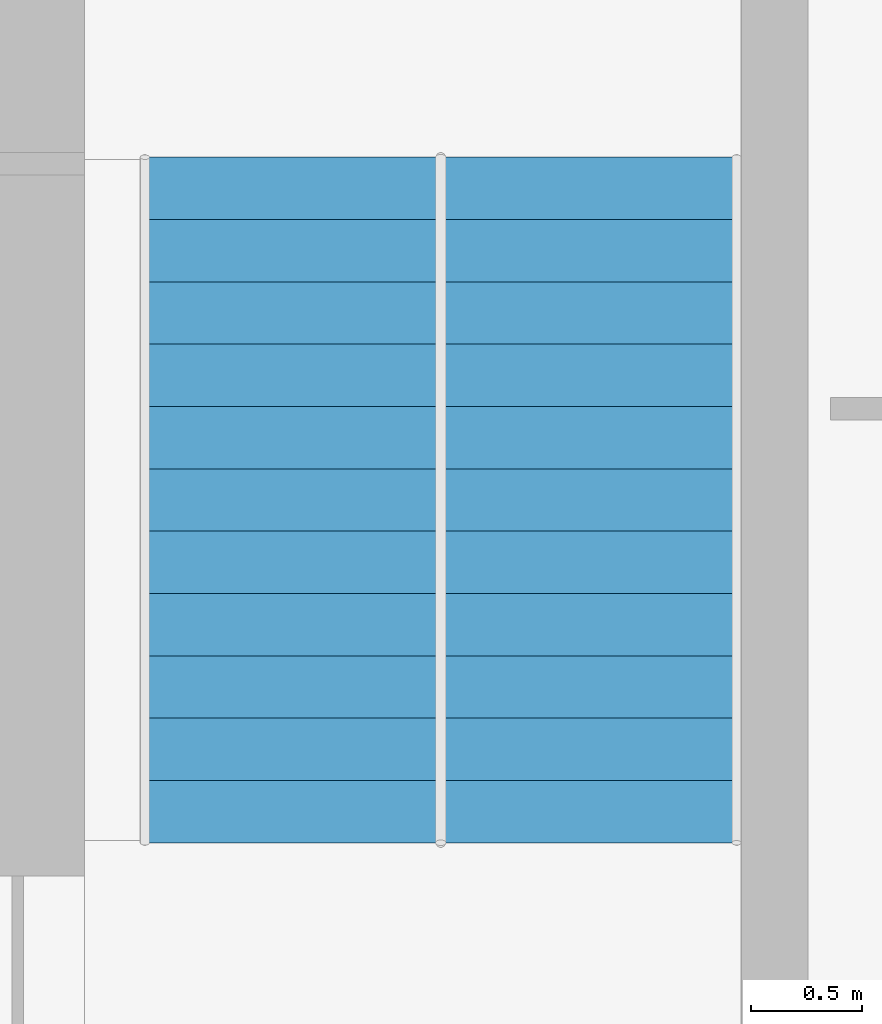
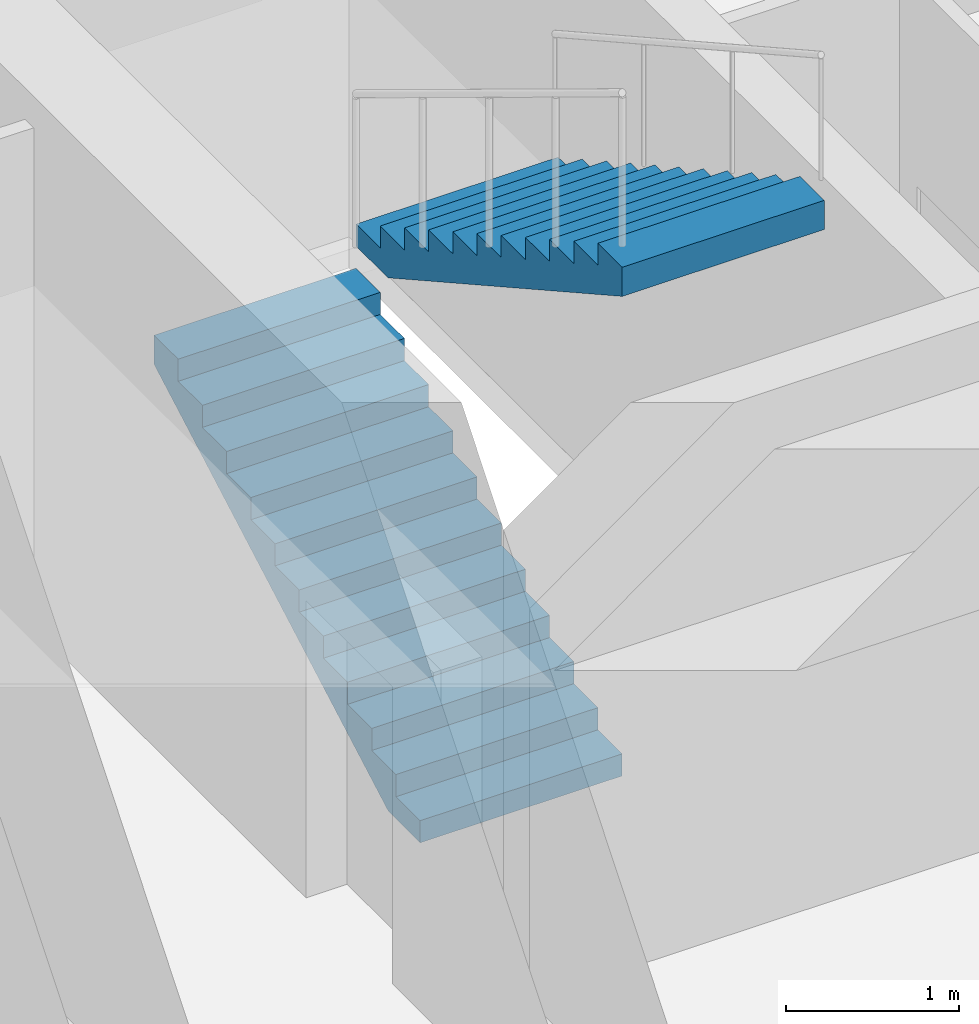
# One storey, part 9 of 11: 2 stair flights, 1 element without a shape of its own.
"""IFC4 building model written with IfcOpenShell, lengths in metres."""

from ifc_helpers import new_model, si_unit, direction, frame, origin, place, context, subcontext, project, spatial, polyline, outline, extrude, material, type_object, element, aggregate, save


model = new_model("IFC4")

# Units and contexts
model_context = context("Model", 3, precision=1e-05, world=origin(), true_north=direction((0.0, 1.0)))
body_context = subcontext(model_context, "Body", "Model", "MODEL_VIEW")
ifc_project = project(units=[si_unit("LENGTHUNIT", "METRE"), si_unit("AREAUNIT", "SQUARE_METRE"), si_unit("VOLUMEUNIT", "CUBIC_METRE"), si_unit("PLANEANGLEUNIT", "RADIAN"), si_unit("MASSUNIT", "GRAM", prefix="KILO")], contexts=[model_context])

# Site, building, storey
site_placement = place(None, origin())
site = spatial("IfcSite", under=ifc_project, at=site_placement, CompositionType="ELEMENT")
building_placement = place(site_placement, origin())
building = spatial("IfcBuilding", under=site, at=building_placement, Name="Impinga Residences", CompositionType="ELEMENT")
storey_placement = place(building_placement, frame((0.0, 0.0, 248.5)))
storey = spatial("IfcBuildingStorey", under=building, at=storey_placement, Name="L62", CompositionType="ELEMENT", Elevation=248.5)

# Stair, stair flights
ifc_material = material(Name="Concrete C40/50", Category="concrete")
stair_type = type_object("IfcStairType", Name="STR wing stair 3750 storey, 24 risers", PredefinedType="HALF_TURN_STAIR", material=ifc_material)
stair_placement = place(storey_placement, origin())
stair = element("IfcStair", 1, at=stair_placement, inside=storey, type_object=stair_type, Name="Stair WS1 L62", PredefinedType="HALF_TURN_STAIR")
stair_flight_type = type_object("IfcStairFlightType", Name="SF 12 risers of 156", PredefinedType="STRAIGHT", material=ifc_material)
stair_flight_1_placement = place(storey_placement, frame((2.425048828125, 22.131591796875, 0.0), z_axis=(0.0, 0.0, 1.0), x_axis=(0.0, 1.0, 0.0)))
stair_flight_1 = element("IfcStairFlight", 2, at=stair_flight_1_placement, type_object=stair_flight_type, Name="WS1 flight 1", NumberOfRisers=12, NumberOfTreads=11, PredefinedType="STRAIGHT", RiserHeight=0.15625, TreadLength=0.28, context=body_context, shape_type="SweptSolid", body=[
    extrude(outline(polyline([(0.0, 0.0), (0.0, 0.15625), (0.280029296875, 0.15625), (0.280029296875, 0.3125), (0.56005859375, 0.3125), (0.56005859375, 0.46875), (0.840087890625, 0.46875), (0.840087890625, 0.625), (1.1201171875, 0.625), (1.1201171875, 0.78125), (1.39990234375, 0.78125), (1.39990234375, 0.9375), (1.679931640625, 0.9375), (1.679931640625, 1.09375), (1.9599609375, 1.09375), (1.9599609375, 1.25), (2.239990234375, 1.25), (2.239990234375, 1.40625), (2.52001953125, 1.40625), (2.52001953125, 1.5625), (2.800048828125, 1.5625), (2.800048828125, 1.71875), (3.080078125, 1.71875), (3.080078125, 1.875), (3.080078125, 1.5126953125), (0.369140625, 0.0), (0.0, 0.0)])), frame((0.0, 0.675048828125, 0.0), z_axis=(0.0, -1.0, 0.0), x_axis=(1.0, 0.0, 0.0)), (0.0, 0.0, 1.0), 1.35009765625),
])
stair_flight_2_placement = place(storey_placement, frame((3.77490234375, 25.21142578125, 1.875), z_axis=(0.0, 0.0, 1.0), x_axis=(0.0, -1.0, 0.0)))
stair_flight_2 = element("IfcStairFlight", 3, at=stair_flight_2_placement, type_object=stair_flight_type, Name="WS1 flight 2", NumberOfRisers=12, NumberOfTreads=11, PredefinedType="STRAIGHT", RiserHeight=0.15625, TreadLength=0.28, context=body_context, shape_type="SweptSolid", body=[
    extrude(outline(polyline([(0.0, 0.0), (0.0, 0.15625), (0.280029296875, 0.15625), (0.280029296875, 0.3125), (0.56005859375, 0.3125), (0.56005859375, 0.46875), (0.840087890625, 0.46875), (0.840087890625, 0.625), (1.1201171875, 0.625), (1.1201171875, 0.78125), (1.39990234375, 0.78125), (1.39990234375, 0.9375), (1.679931640625, 0.9375), (1.679931640625, 1.09375), (1.9599609375, 1.09375), (1.9599609375, 1.25), (2.239990234375, 1.25), (2.239990234375, 1.40625), (2.52001953125, 1.40625), (2.52001953125, 1.5625), (2.800048828125, 1.5625), (2.800048828125, 1.71875), (3.080078125, 1.71875), (3.080078125, 1.875), (3.080078125, 1.5126953125), (0.369140625, 0.0), (0.0, 0.0)])), frame((0.0, 0.675048828125, 0.0), z_axis=(0.0, -1.0, 0.0), x_axis=(1.0, 0.0, 0.0)), (0.0, 0.0, 1.0), 1.35009765625),
])
aggregate(stair, [stair_flight_1, stair_flight_2])

save(model, "model.ifc")
